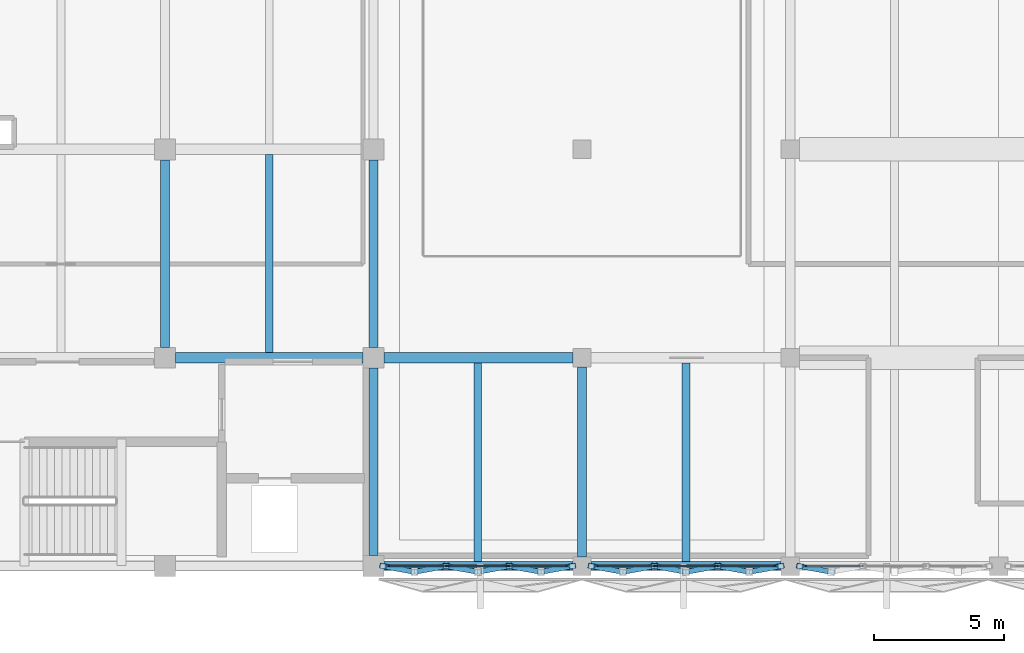
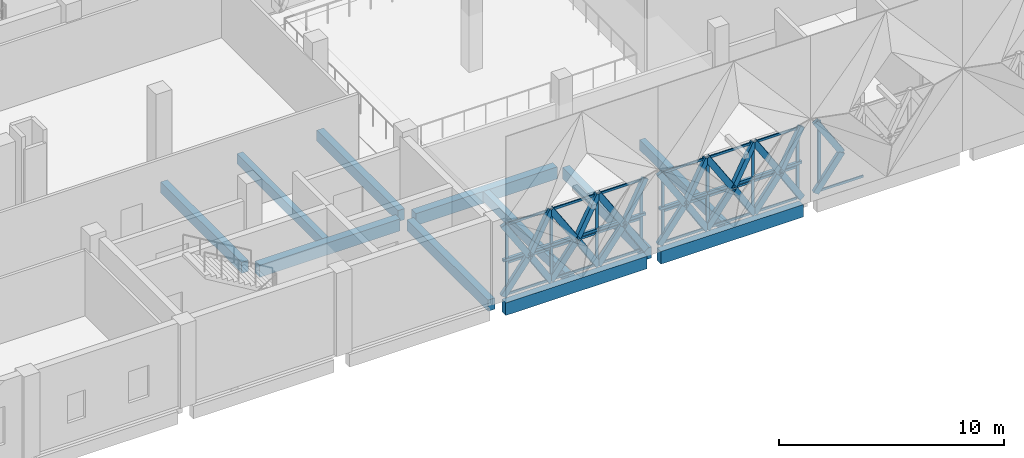
# One storey, part 7 of 37: 60 members, 11 beams, 3 elements without a shape of their own.
"""IFC4 building model written with IfcOpenShell, lengths in metres."""

from ifc_helpers import new_model, si_unit, direction, frame, origin, origin_2d, place, context, subcontext, project, spatial, rectangle, hollow_rectangle, extrude, material, layer, layer_set, material_profile, profile_set, type_object, element, aggregate, save


model = new_model("IFC4")

# Units and contexts
model_context = context("Model", 3, precision=1e-05, world=origin(), true_north=direction((0.0, 1.0)))
body_context = subcontext(model_context, "Body", "Model", "MODEL_VIEW")
ifc_project = project(units=[si_unit("LENGTHUNIT", "METRE"), si_unit("AREAUNIT", "SQUARE_METRE"), si_unit("VOLUMEUNIT", "CUBIC_METRE"), si_unit("PLANEANGLEUNIT", "RADIAN"), si_unit("MASSUNIT", "GRAM", prefix="KILO")], contexts=[model_context])

# Site, building, storey
site_placement = place(None, origin())
site = spatial("IfcSite", under=ifc_project, at=site_placement, CompositionType="ELEMENT")
building_placement = place(site_placement, origin())
building = spatial("IfcBuilding", under=site, at=building_placement, Name="Qorikala Patio Media Centre", CompositionType="ELEMENT")
storey_placement = place(building_placement, frame((0.0, 0.0, 14.39990234375)))
storey = spatial("IfcBuildingStorey", under=building, at=storey_placement, Name="L03", CompositionType="ELEMENT", Elevation=14.39990234375)

# Beams
ifc_material_1 = material(Name="Concrete C35/45", Category="concrete")
ifc_material_profile_1 = material_profile(ifc_material_1, rectangle(XDim=0.35009765625, YDim=0.60009765625, at=origin_2d()), Name="RC 350x600")
ifc_profile_set_1 = profile_set([ifc_material_profile_1], Name="Concrete C35/45")
beam_type_1 = type_object("IfcBeamType", Name="BM-G350X600", PredefinedType="BEAM", material=ifc_profile_set_1)
for number, where, z_axis, x_axis, name in (
    (1, (35.0, 11.39990234375, -0.599853515625), (0.0, 1.0, 0.0), (-1.0, 0.0, 0.0), "L03 Grid X=35 Beam 1227"),
    (2, (43.0, 3.39990234375, -0.599853515625), (0.0, 1.0, 0.0), (-1.0, 0.0, 0.0), "L03 Grid X=43 Beam 1234"),
    (3, (43.0, 11.39990234375, -0.599853515625), (0.0, 1.0, 0.0), (-1.0, 0.0, 0.0), "L03 Grid X=43 Beam 1235"),
):
    element("IfcBeam", number, at=place(storey_placement, frame(where, z_axis=z_axis, x_axis=x_axis)), inside=storey, type_object=beam_type_1, Name=name, PredefinedType="BEAM", context=body_context, shape_type="SweptSolid", body=[
        extrude(rectangle(XDim=0.35009765625, YDim=0.60009765625, at=origin_2d()), origin(), (0.0, 0.0, 1.0), 7.2001953125),
    ])
beam_1_placement = place(storey_placement, frame((51.0, 3.35009765625, -0.599853515625), z_axis=(0.0, 1.0, 0.0), x_axis=(-1.0, 0.0, 0.0)))
element("IfcBeam", 4, at=beam_1_placement, inside=storey, type_object=beam_type_1, Name="L03 Grid X=51 Beam 1238", PredefinedType="BEAM", context=body_context, shape_type="SweptSolid", body=[
    extrude(rectangle(XDim=0.35009765625, YDim=0.60009765625, at=origin_2d()), origin(), (0.0, 0.0, 1.0), 7.2998046875),
])
ifc_material_profile_2 = material_profile(ifc_material_1, rectangle(XDim=0.39990234375, YDim=0.64990234375, at=origin_2d()), Name="RC 400x650")
ifc_profile_set_2 = profile_set([ifc_material_profile_2], Name="Concrete C35/45")
beam_type_2 = type_object("IfcBeamType", Name="BM-G400X650", PredefinedType="BEAM", material=ifc_profile_set_2)
beam_2_placement = place(storey_placement, frame((35.39990234375, 11.0, -0.625), z_axis=(1.0, 0.0, 0.0), x_axis=(0.0, 1.0, 0.0)))
element("IfcBeam", 5, at=beam_2_placement, inside=storey, type_object=beam_type_2, Name="L03 Grid 11 Beam 1119", PredefinedType="BEAM", context=body_context, shape_type="SweptSolid", body=[
    extrude(rectangle(XDim=0.39990234375, YDim=0.64990234375, at=origin_2d()), origin(), (0.0, 0.0, 1.0), 7.2001953125),
])
beam_3_placement = place(storey_placement, frame((43.39990234375, 11.0, -0.625), z_axis=(1.0, 0.0, 0.0), x_axis=(0.0, 1.0, 0.0)))
element("IfcBeam", 6, at=beam_3_placement, inside=storey, type_object=beam_type_2, Name="L03 Grid 11 Beam 1120", PredefinedType="BEAM", context=body_context, shape_type="SweptSolid", body=[
    extrude(rectangle(XDim=0.39990234375, YDim=0.64990234375, at=origin_2d()), origin(), (0.0, 0.0, 1.0), 7.25),
])

# Members
ifc_material_2 = material(Name="Golden Bronze Coated Steel S355", Category="steel")
ifc_material_profile_3 = material_profile(ifc_material_2, hollow_rectangle(XDim=0.139892578125, YDim=0.139892578125, WallThickness=0.006103515625, at=origin_2d()), Name="HSS140X140X6")
ifc_profile_set_3 = profile_set([ifc_material_profile_3], Name="Golden Bronze Coated Steel S355")
member_type_1 = type_object("IfcMemberType", Name="BRACE-DIA140", PredefinedType="BRACE", material=ifc_profile_set_3)
member_1_placement = place(storey_placement, frame((58.639892578125, 3.0, 1.925048828125), z_axis=(-1.0, 0.0, 0.0), x_axis=(0.0, -1.0, 0.0)))
element("IfcMember", 7, at=member_1_placement, inside=storey, type_object=member_type_1, Name="L03 Diamond Fold Tie 082", PredefinedType="BRACE", context=body_context, shape_type="SweptSolid", body=[
    extrude(hollow_rectangle(XDim=0.139892578125, YDim=0.139892578125, WallThickness=0.006103515625, at=origin_2d()), origin(), (0.0, 0.0, 1.0), 2.426513671875),
])
member_2_placement = place(storey_placement, frame((56.21337890625, 3.0, 1.925048828125), z_axis=(-1.0, 0.0, 0.0), x_axis=(0.0, -1.0, 0.0)))
element("IfcMember", 8, at=member_2_placement, inside=storey, type_object=member_type_1, Name="L03 Diamond Fold Tie 083", PredefinedType="BRACE", context=body_context, shape_type="SweptSolid", body=[
    extrude(hollow_rectangle(XDim=0.139892578125, YDim=0.139892578125, WallThickness=0.006103515625, at=origin_2d()), origin(), (0.0, 0.0, 1.0), 2.4267578125),
])
for number, where, z_axis, x_axis, name in (
    (9, (53.78662109375, 3.0, 1.925048828125), (-1.0, 0.0, 0.0), (0.0, -1.0, 0.0), "L03 Diamond Fold Tie 084"),
    (10, (50.639892578125, 3.0, 1.925048828125), (-1.0, 0.0, 0.0), (0.0, -1.0, 0.0), "L03 Diamond Fold Tie 085"),
):
    element("IfcMember", number, at=place(storey_placement, frame(where, z_axis=z_axis, x_axis=x_axis)), inside=storey, type_object=member_type_1, Name=name, PredefinedType="BRACE", context=body_context, shape_type="SweptSolid", body=[
        extrude(hollow_rectangle(XDim=0.139892578125, YDim=0.139892578125, WallThickness=0.006103515625, at=origin_2d()), origin(), (0.0, 0.0, 1.0), 2.426513671875),
    ])
member_3_placement = place(storey_placement, frame((48.21337890625, 3.0, 1.925048828125), z_axis=(-1.0, 0.0, 0.0), x_axis=(0.0, -1.0, 0.0)))
element("IfcMember", 11, at=member_3_placement, inside=storey, type_object=member_type_1, Name="L03 Diamond Fold Tie 086", PredefinedType="BRACE", context=body_context, shape_type="SweptSolid", body=[
    extrude(hollow_rectangle(XDim=0.139892578125, YDim=0.139892578125, WallThickness=0.006103515625, at=origin_2d()), origin(), (0.0, 0.0, 1.0), 2.4267578125),
])
member_4_placement = place(storey_placement, frame((45.78662109375, 3.0, 1.925048828125), z_axis=(-1.0, 0.0, 0.0), x_axis=(0.0, -1.0, 0.0)))
element("IfcMember", 12, at=member_4_placement, inside=storey, type_object=member_type_1, Name="L03 Diamond Fold Tie 087", PredefinedType="BRACE", context=body_context, shape_type="SweptSolid", body=[
    extrude(hollow_rectangle(XDim=0.139892578125, YDim=0.139892578125, WallThickness=0.006103515625, at=origin_2d()), origin(), (0.0, 0.0, 1.0), 2.426513671875),
])

# Curtain wall, member
ifc_material_3 = material(Name="Golden Bronze Anodised Aluminium and Low-E Glass", Category="aluminium")
ifc_layer = layer(ifc_material_3, 0.159912109375)
ifc_layer_set = layer_set([ifc_layer], Name="Golden Bronze Anodised Aluminium and Low-E Glass")
curtain_wall_type = type_object("IfcCurtainWallType", Name="CW-DIA-696X385", PredefinedType="USERDEFINED", material=ifc_layer_set)
curtain_wall_1_placement = place(storey_placement, origin())
curtain_wall_1 = element("IfcCurtainWall", 13, at=curtain_wall_1_placement, inside=storey, type_object=curtain_wall_type, Name="L03 Courtyard Curtain Wall 068", ObjectType="COURTYARD CURTAIN WALL", PredefinedType="USERDEFINED")
ifc_material_4 = material(Name="Golden Bronze Anodised Aluminium", Category="aluminium")
ifc_material_profile_4 = material_profile(ifc_material_4, rectangle(XDim=0.06494140625, YDim=0.14990234375, at=origin_2d()), Name="ALU MULLION 65x150")
ifc_profile_set_4 = profile_set([ifc_material_profile_4], Name="Golden Bronze Anodised Aluminium")
member_type_2 = type_object("IfcMemberType", Name="CWM-65X150", PredefinedType="MULLION", material=ifc_profile_set_4)
member_5_placement = place(storey_placement, frame((59.552490234375, 3.0, 0.0), z_axis=(0.0, 0.0, 1.0), x_axis=(0.0, -1.0, 0.0)))
member_5 = element("IfcMember", 14, at=member_5_placement, type_object=member_type_2, Name="CWD696385 mullion 4", PredefinedType="MULLION", context=body_context, shape_type="SweptSolid", body=[
    extrude(rectangle(XDim=0.06494140625, YDim=0.14990234375, at=origin_2d()), origin(), (0.0, 0.0, 1.0), 3.85009765625),
])

# Curtain wall, members
curtain_wall_2_placement = place(storey_placement, origin())
curtain_wall_2 = element("IfcCurtainWall", 15, at=curtain_wall_2_placement, inside=storey, type_object=curtain_wall_type, Name="L03 Courtyard Curtain Wall 069", ObjectType="COURTYARD CURTAIN WALL", PredefinedType="USERDEFINED")
member_6_placement = place(storey_placement, frame((58.447509765625, 3.0, 0.0), z_axis=(0.0, 0.0, 1.0), x_axis=(0.0, -1.0, 0.0)))
member_6 = element("IfcMember", 16, at=member_6_placement, type_object=member_type_2, Name="CWD696385 mullion 1", PredefinedType="MULLION", context=body_context, shape_type="SweptSolid", body=[
    extrude(rectangle(XDim=0.06494140625, YDim=0.14990234375, at=origin_2d()), origin(), (0.0, 0.0, 1.0), 3.85009765625),
])
member_7_placement = place(storey_placement, frame((56.159912109375, 3.0, 0.0), z_axis=(0.0, 0.0, 1.0), x_axis=(0.0, -1.0, 0.0)))
member_7 = element("IfcMember", 17, at=member_7_placement, type_object=member_type_2, Name="CWD696385 mullion 2", PredefinedType="MULLION", context=body_context, shape_type="SweptSolid", body=[
    extrude(rectangle(XDim=0.06494140625, YDim=0.14990234375, at=origin_2d()), origin(), (0.0, 0.0, 1.0), 3.85009765625),
])
member_8_placement = place(storey_placement, frame((53.840087890625, 3.0, 0.0), z_axis=(0.0, 0.0, 1.0), x_axis=(0.0, -1.0, 0.0)))
member_8 = element("IfcMember", 18, at=member_8_placement, type_object=member_type_2, Name="CWD696385 mullion 3", PredefinedType="MULLION", context=body_context, shape_type="SweptSolid", body=[
    extrude(rectangle(XDim=0.06494140625, YDim=0.14990234375, at=origin_2d()), origin(), (0.0, 0.0, 1.0), 3.85009765625),
])
member_9_placement = place(storey_placement, frame((51.552490234375, 3.0, 0.0), z_axis=(0.0, 0.0, 1.0), x_axis=(0.0, -1.0, 0.0)))
member_9 = element("IfcMember", 19, at=member_9_placement, type_object=member_type_2, Name="CWD696385 mullion 4", PredefinedType="MULLION", context=body_context, shape_type="SweptSolid", body=[
    extrude(rectangle(XDim=0.06494140625, YDim=0.14990234375, at=origin_2d()), origin(), (0.0, 0.0, 1.0), 3.85009765625),
])

curtain_wall_3_placement = place(storey_placement, origin())
curtain_wall_3 = element("IfcCurtainWall", 20, at=curtain_wall_3_placement, inside=storey, type_object=curtain_wall_type, Name="L03 Courtyard Curtain Wall 070", ObjectType="COURTYARD CURTAIN WALL", PredefinedType="USERDEFINED")
member_10_placement = place(storey_placement, frame((50.447509765625, 3.0, 0.0), z_axis=(0.0, 0.0, 1.0), x_axis=(0.0, -1.0, 0.0)))
member_10 = element("IfcMember", 21, at=member_10_placement, type_object=member_type_2, Name="CWD696385 mullion 1", PredefinedType="MULLION", context=body_context, shape_type="SweptSolid", body=[
    extrude(rectangle(XDim=0.06494140625, YDim=0.14990234375, at=origin_2d()), origin(), (0.0, 0.0, 1.0), 3.85009765625),
])
member_11_placement = place(storey_placement, frame((48.159912109375, 3.0, 0.0), z_axis=(0.0, 0.0, 1.0), x_axis=(0.0, -1.0, 0.0)))
member_11 = element("IfcMember", 22, at=member_11_placement, type_object=member_type_2, Name="CWD696385 mullion 2", PredefinedType="MULLION", context=body_context, shape_type="SweptSolid", body=[
    extrude(rectangle(XDim=0.06494140625, YDim=0.14990234375, at=origin_2d()), origin(), (0.0, 0.0, 1.0), 3.85009765625),
])
member_12_placement = place(storey_placement, frame((45.840087890625, 3.0, 0.0), z_axis=(0.0, 0.0, 1.0), x_axis=(0.0, -1.0, 0.0)))
member_12 = element("IfcMember", 23, at=member_12_placement, type_object=member_type_2, Name="CWD696385 mullion 3", PredefinedType="MULLION", context=body_context, shape_type="SweptSolid", body=[
    extrude(rectangle(XDim=0.06494140625, YDim=0.14990234375, at=origin_2d()), origin(), (0.0, 0.0, 1.0), 3.85009765625),
])
member_13_placement = place(storey_placement, frame((43.552490234375, 3.0, 0.0), z_axis=(0.0, 0.0, 1.0), x_axis=(0.0, -1.0, 0.0)))
member_13 = element("IfcMember", 24, at=member_13_placement, type_object=member_type_2, Name="CWD696385 mullion 4", PredefinedType="MULLION", context=body_context, shape_type="SweptSolid", body=[
    extrude(rectangle(XDim=0.06494140625, YDim=0.14990234375, at=origin_2d()), origin(), (0.0, 0.0, 1.0), 3.85009765625),
])

# Member
ifc_material_profile_5 = material_profile(ifc_material_4, rectangle(XDim=0.06494140625, YDim=0.1201171875, at=origin_2d()), Name="ALU TRANSOM 65x120")
ifc_profile_set_5 = profile_set([ifc_material_profile_5], Name="Golden Bronze Anodised Aluminium")
member_type_3 = type_object("IfcMemberType", Name="CWT-65X120", PredefinedType="USERDEFINED", material=ifc_profile_set_5)
member_14_placement = place(storey_placement, frame((61.8076171875, 3.0, 0.03271484375), z_axis=(-1.0, 0.0, 0.0), x_axis=(0.0, -1.0, 0.0)))
member_14 = element("IfcMember", 25, at=member_14_placement, type_object=member_type_3, Name="CWD696385 transom 3.1", ObjectType="TRANSOM", PredefinedType="USERDEFINED", context=body_context, shape_type="SweptSolid", body=[
    extrude(rectangle(XDim=0.06494140625, YDim=0.1201171875, at=origin_2d()), origin(), (0.0, 0.0, 1.0), 2.22265625),
])

aggregate(curtain_wall_1, [member_5, member_14])

member_15_placement = place(storey_placement, frame((58.4150390625, 3.0, 0.03271484375), z_axis=(-1.0, 0.0, 0.0), x_axis=(0.0, -1.0, 0.0)))
member_15 = element("IfcMember", 26, at=member_15_placement, type_object=member_type_3, Name="CWD696385 transom 1.1", ObjectType="TRANSOM", PredefinedType="USERDEFINED", context=body_context, shape_type="SweptSolid", body=[
    extrude(rectangle(XDim=0.06494140625, YDim=0.1201171875, at=origin_2d()), origin(), (0.0, 0.0, 1.0), 2.22265625),
])

member_16_placement = place(storey_placement, frame((58.4150390625, 3.0, 1.732666015625), z_axis=(-1.0, 0.0, 0.0), x_axis=(0.0, -1.0, 0.0)))
member_16 = element("IfcMember", 27, at=member_16_placement, type_object=member_type_3, Name="CWD696385 transom 1.2", ObjectType="TRANSOM", PredefinedType="USERDEFINED", context=body_context, shape_type="SweptSolid", body=[
    extrude(rectangle(XDim=0.06494140625, YDim=0.1201171875, at=origin_2d()), origin(), (0.0, 0.0, 1.0), 2.22265625),
])

member_17_placement = place(storey_placement, frame((58.4150390625, 3.0, 3.817626953125), z_axis=(-1.0, 0.0, 0.0), x_axis=(0.0, -1.0, 0.0)))
member_17 = element("IfcMember", 28, at=member_17_placement, type_object=member_type_3, Name="CWD696385 transom 1.3", ObjectType="TRANSOM", PredefinedType="USERDEFINED", context=body_context, shape_type="SweptSolid", body=[
    extrude(rectangle(XDim=0.06494140625, YDim=0.1201171875, at=origin_2d()), origin(), (0.0, 0.0, 1.0), 2.22265625),
])

member_18_placement = place(storey_placement, frame((56.12744140625, 3.0, 0.03271484375), z_axis=(-1.0, 0.0, 0.0), x_axis=(0.0, -1.0, 0.0)))
member_18 = element("IfcMember", 29, at=member_18_placement, type_object=member_type_3, Name="CWD696385 transom 2.1", ObjectType="TRANSOM", PredefinedType="USERDEFINED", context=body_context, shape_type="SweptSolid", body=[
    extrude(rectangle(XDim=0.06494140625, YDim=0.1201171875, at=origin_2d()), origin(), (0.0, 0.0, 1.0), 2.2548828125),
])

member_19_placement = place(storey_placement, frame((56.12744140625, 3.0, 1.732666015625), z_axis=(-1.0, 0.0, 0.0), x_axis=(0.0, -1.0, 0.0)))
member_19 = element("IfcMember", 30, at=member_19_placement, type_object=member_type_3, Name="CWD696385 transom 2.2", ObjectType="TRANSOM", PredefinedType="USERDEFINED", context=body_context, shape_type="SweptSolid", body=[
    extrude(rectangle(XDim=0.06494140625, YDim=0.1201171875, at=origin_2d()), origin(), (0.0, 0.0, 1.0), 2.2548828125),
])

member_20_placement = place(storey_placement, frame((56.12744140625, 3.0, 3.817626953125), z_axis=(-1.0, 0.0, 0.0), x_axis=(0.0, -1.0, 0.0)))
member_20 = element("IfcMember", 31, at=member_20_placement, type_object=member_type_3, Name="CWD696385 transom 2.3", ObjectType="TRANSOM", PredefinedType="USERDEFINED", context=body_context, shape_type="SweptSolid", body=[
    extrude(rectangle(XDim=0.06494140625, YDim=0.1201171875, at=origin_2d()), origin(), (0.0, 0.0, 1.0), 2.2548828125),
])

member_21_placement = place(storey_placement, frame((53.8076171875, 3.0, 0.03271484375), z_axis=(-1.0, 0.0, 0.0), x_axis=(0.0, -1.0, 0.0)))
member_21 = element("IfcMember", 32, at=member_21_placement, type_object=member_type_3, Name="CWD696385 transom 3.1", ObjectType="TRANSOM", PredefinedType="USERDEFINED", context=body_context, shape_type="SweptSolid", body=[
    extrude(rectangle(XDim=0.06494140625, YDim=0.1201171875, at=origin_2d()), origin(), (0.0, 0.0, 1.0), 2.22265625),
])

member_22_placement = place(storey_placement, frame((53.8076171875, 3.0, 1.732666015625), z_axis=(-1.0, 0.0, 0.0), x_axis=(0.0, -1.0, 0.0)))
member_22 = element("IfcMember", 33, at=member_22_placement, type_object=member_type_3, Name="CWD696385 transom 3.2", ObjectType="TRANSOM", PredefinedType="USERDEFINED", context=body_context, shape_type="SweptSolid", body=[
    extrude(rectangle(XDim=0.06494140625, YDim=0.1201171875, at=origin_2d()), origin(), (0.0, 0.0, 1.0), 2.22265625),
])

member_23_placement = place(storey_placement, frame((53.8076171875, 3.0, 3.817626953125), z_axis=(-1.0, 0.0, 0.0), x_axis=(0.0, -1.0, 0.0)))
member_23 = element("IfcMember", 34, at=member_23_placement, type_object=member_type_3, Name="CWD696385 transom 3.3", ObjectType="TRANSOM", PredefinedType="USERDEFINED", context=body_context, shape_type="SweptSolid", body=[
    extrude(rectangle(XDim=0.06494140625, YDim=0.1201171875, at=origin_2d()), origin(), (0.0, 0.0, 1.0), 2.22265625),
])

aggregate(curtain_wall_2, [member_6, member_7, member_8, member_9, member_15, member_16, member_17, member_18, member_19, member_20, member_21, member_22, member_23])

member_24_placement = place(storey_placement, frame((50.4150390625, 3.0, 0.03271484375), z_axis=(-1.0, 0.0, 0.0), x_axis=(0.0, -1.0, 0.0)))
member_24 = element("IfcMember", 35, at=member_24_placement, type_object=member_type_3, Name="CWD696385 transom 1.1", ObjectType="TRANSOM", PredefinedType="USERDEFINED", context=body_context, shape_type="SweptSolid", body=[
    extrude(rectangle(XDim=0.06494140625, YDim=0.1201171875, at=origin_2d()), origin(), (0.0, 0.0, 1.0), 2.22265625),
])

member_25_placement = place(storey_placement, frame((50.4150390625, 3.0, 1.732666015625), z_axis=(-1.0, 0.0, 0.0), x_axis=(0.0, -1.0, 0.0)))
member_25 = element("IfcMember", 36, at=member_25_placement, type_object=member_type_3, Name="CWD696385 transom 1.2", ObjectType="TRANSOM", PredefinedType="USERDEFINED", context=body_context, shape_type="SweptSolid", body=[
    extrude(rectangle(XDim=0.06494140625, YDim=0.1201171875, at=origin_2d()), origin(), (0.0, 0.0, 1.0), 2.22265625),
])

member_26_placement = place(storey_placement, frame((50.4150390625, 3.0, 3.817626953125), z_axis=(-1.0, 0.0, 0.0), x_axis=(0.0, -1.0, 0.0)))
member_26 = element("IfcMember", 37, at=member_26_placement, type_object=member_type_3, Name="CWD696385 transom 1.3", ObjectType="TRANSOM", PredefinedType="USERDEFINED", context=body_context, shape_type="SweptSolid", body=[
    extrude(rectangle(XDim=0.06494140625, YDim=0.1201171875, at=origin_2d()), origin(), (0.0, 0.0, 1.0), 2.22265625),
])

member_27_placement = place(storey_placement, frame((48.12744140625, 3.0, 0.03271484375), z_axis=(-1.0, 0.0, 0.0), x_axis=(0.0, -1.0, 0.0)))
member_27 = element("IfcMember", 38, at=member_27_placement, type_object=member_type_3, Name="CWD696385 transom 2.1", ObjectType="TRANSOM", PredefinedType="USERDEFINED", context=body_context, shape_type="SweptSolid", body=[
    extrude(rectangle(XDim=0.06494140625, YDim=0.1201171875, at=origin_2d()), origin(), (0.0, 0.0, 1.0), 2.2548828125),
])

member_28_placement = place(storey_placement, frame((48.12744140625, 3.0, 1.732666015625), z_axis=(-1.0, 0.0, 0.0), x_axis=(0.0, -1.0, 0.0)))
member_28 = element("IfcMember", 39, at=member_28_placement, type_object=member_type_3, Name="CWD696385 transom 2.2", ObjectType="TRANSOM", PredefinedType="USERDEFINED", context=body_context, shape_type="SweptSolid", body=[
    extrude(rectangle(XDim=0.06494140625, YDim=0.1201171875, at=origin_2d()), origin(), (0.0, 0.0, 1.0), 2.2548828125),
])

member_29_placement = place(storey_placement, frame((48.12744140625, 3.0, 3.817626953125), z_axis=(-1.0, 0.0, 0.0), x_axis=(0.0, -1.0, 0.0)))
member_29 = element("IfcMember", 40, at=member_29_placement, type_object=member_type_3, Name="CWD696385 transom 2.3", ObjectType="TRANSOM", PredefinedType="USERDEFINED", context=body_context, shape_type="SweptSolid", body=[
    extrude(rectangle(XDim=0.06494140625, YDim=0.1201171875, at=origin_2d()), origin(), (0.0, 0.0, 1.0), 2.2548828125),
])

member_30_placement = place(storey_placement, frame((45.8076171875, 3.0, 0.03271484375), z_axis=(-1.0, 0.0, 0.0), x_axis=(0.0, -1.0, 0.0)))
member_30 = element("IfcMember", 41, at=member_30_placement, type_object=member_type_3, Name="CWD696385 transom 3.1", ObjectType="TRANSOM", PredefinedType="USERDEFINED", context=body_context, shape_type="SweptSolid", body=[
    extrude(rectangle(XDim=0.06494140625, YDim=0.1201171875, at=origin_2d()), origin(), (0.0, 0.0, 1.0), 2.22265625),
])

member_31_placement = place(storey_placement, frame((45.8076171875, 3.0, 1.732666015625), z_axis=(-1.0, 0.0, 0.0), x_axis=(0.0, -1.0, 0.0)))
member_31 = element("IfcMember", 42, at=member_31_placement, type_object=member_type_3, Name="CWD696385 transom 3.2", ObjectType="TRANSOM", PredefinedType="USERDEFINED", context=body_context, shape_type="SweptSolid", body=[
    extrude(rectangle(XDim=0.06494140625, YDim=0.1201171875, at=origin_2d()), origin(), (0.0, 0.0, 1.0), 2.22265625),
])

member_32_placement = place(storey_placement, frame((45.8076171875, 3.0, 3.817626953125), z_axis=(-1.0, 0.0, 0.0), x_axis=(0.0, -1.0, 0.0)))
member_32 = element("IfcMember", 43, at=member_32_placement, type_object=member_type_3, Name="CWD696385 transom 3.3", ObjectType="TRANSOM", PredefinedType="USERDEFINED", context=body_context, shape_type="SweptSolid", body=[
    extrude(rectangle(XDim=0.06494140625, YDim=0.1201171875, at=origin_2d()), origin(), (0.0, 0.0, 1.0), 2.22265625),
])

aggregate(curtain_wall_3, [member_10, member_11, member_12, member_13, member_24, member_25, member_26, member_27, member_28, member_29, member_30, member_31, member_32])

# Beams
ifc_material_profile_6 = material_profile(ifc_material_1, rectangle(XDim=0.300048828125, YDim=0.550048828125, at=origin_2d()), Name="RC 300x550")
ifc_profile_set_6 = profile_set([ifc_material_profile_6], Name="Concrete C35/45")
beam_type_3 = type_object("IfcBeamType", Name="JS-300X550", PredefinedType="JOIST", material=ifc_profile_set_6)
beam_4_placement = place(storey_placement, frame((39.0, 11.199951171875, -0.574951171875), z_axis=(0.0, 1.0, 0.0), x_axis=(-1.0, 0.0, 0.0)))
element("IfcBeam", 44, at=beam_4_placement, inside=storey, type_object=beam_type_3, Name="L03 Secondary Joist 1294", PredefinedType="JOIST", context=body_context, shape_type="SweptSolid", body=[
    extrude(rectangle(XDim=0.300048828125, YDim=0.550048828125, at=origin_2d()), origin(), (0.0, 0.0, 1.0), 7.60009765625),
])
for number, where, z_axis, x_axis, name in (
    (45, (47.0, 3.175048828125, -0.574951171875), (0.0, 1.0, 0.0), (-1.0, 0.0, 0.0), "L03 Secondary Joist 1296"),
    (46, (55.0, 3.175048828125, -0.574951171875), (0.0, 1.0, 0.0), (-1.0, 0.0, 0.0), "L03 Secondary Joist 1297"),
):
    element("IfcBeam", number, at=place(storey_placement, frame(where, z_axis=z_axis, x_axis=x_axis)), inside=storey, type_object=beam_type_3, Name=name, PredefinedType="JOIST", context=body_context, shape_type="SweptSolid", body=[
        extrude(rectangle(XDim=0.300048828125, YDim=0.550048828125, at=origin_2d()), origin(), (0.0, 0.0, 1.0), 7.625),
    ])
ifc_material_profile_7 = material_profile(ifc_material_1, rectangle(XDim=0.35009765625, YDim=0.679931640625, at=origin_2d()), Name="RC 350x680")
ifc_profile_set_7 = profile_set([ifc_material_profile_7], Name="Concrete C35/45")
beam_type_4 = type_object("IfcBeamType", Name="SP-350X680", PredefinedType="SPANDREL", material=ifc_profile_set_7)
beam_5_placement = place(storey_placement, frame((43.39990234375, 3.0, -0.639892578125), z_axis=(1.0, 0.0, 0.0), x_axis=(0.0, 1.0, 0.0)))
element("IfcBeam", 47, at=beam_5_placement, inside=storey, type_object=beam_type_4, Name="L03 Grid 3 Beam 1108", PredefinedType="SPANDREL", context=body_context, shape_type="SweptSolid", body=[
    extrude(rectangle(XDim=0.35009765625, YDim=0.679931640625, at=origin_2d()), origin(), (0.0, 0.0, 1.0), 7.25),
])
beam_6_placement = place(storey_placement, frame((51.35009765625, 3.0, -0.639892578125), z_axis=(1.0, 0.0, 0.0), x_axis=(0.0, 1.0, 0.0)))
element("IfcBeam", 48, at=beam_6_placement, inside=storey, type_object=beam_type_4, Name="L03 Grid 3 Beam 1109", PredefinedType="SPANDREL", context=body_context, shape_type="SweptSolid", body=[
    extrude(rectangle(XDim=0.35009765625, YDim=0.679931640625, at=origin_2d()), origin(), (0.0, 0.0, 1.0), 7.2998046875),
])

# Members
ifc_material_profile_8 = material_profile(ifc_material_2, hollow_rectangle(XDim=0.199951171875, YDim=0.300048828125, WallThickness=0.011962890625, at=origin_2d()), Name="HSS300X200X12")
ifc_profile_set_8 = profile_set([ifc_material_profile_8], Name="Golden Bronze Coated Steel S355")
member_type_4 = type_object("IfcMemberType", Name="STRUT-DIA300", PredefinedType="STRUT", material=ifc_profile_set_8)
for number, where, z_axis, x_axis, name in (
    (49, (59.360107421875, 3.0, 0.0), (0.530691378365, -0.095906793675, 0.842121456713), (0.17783968734, 0.984059472596, 0.0), "L03 Diamond Foyer Fold Strut 081-DL2"),
    (50, (60.5732421875, 2.78076171875, 1.925048828125), (-0.530691378365, 0.095906793675, 0.842121456713), (-0.17783968734, -0.984059472596, 0.0), "L03 Diamond Foyer Fold Strut 081-DU2"),
    (51, (58.639892578125, 3.0, 0.0), (-0.530691378365, -0.095906793675, 0.842121456713), (0.17783968734, -0.984059472596, 0.0), "L03 Diamond Foyer Fold Strut 082-DL1"),
):
    element("IfcMember", number, at=place(storey_placement, frame(where, z_axis=z_axis, x_axis=x_axis)), inside=storey, type_object=member_type_4, Name=name, PredefinedType="STRUT", context=body_context, shape_type="SweptSolid", body=[
        extrude(hollow_rectangle(XDim=0.199951171875, YDim=0.300048828125, WallThickness=0.011962890625, at=origin_2d()), origin(), (0.0, 0.0, 1.0), 2.285888671875),
    ])
member_33_placement = place(storey_placement, frame((56.21337890625, 3.0, 0.0), z_axis=(0.530768093717, -0.095901357778, 0.842073726148), x_axis=(0.177805036072, 0.98406573416, 0.0)))
element("IfcMember", 52, at=member_33_placement, inside=storey, type_object=member_type_4, Name="L03 Diamond Foyer Fold Strut 082-DL2", PredefinedType="STRUT", context=body_context, shape_type="SweptSolid", body=[
    extrude(hollow_rectangle(XDim=0.199951171875, YDim=0.300048828125, WallThickness=0.011962890625, at=origin_2d()), origin(), (0.0, 0.0, 1.0), 2.2861328125),
])
member_34_placement = place(storey_placement, frame((57.4267578125, 2.78076171875, 1.925048828125), z_axis=(0.530691378365, 0.095906793675, 0.842121456713), x_axis=(-0.17783968734, 0.984059472596, 0.0)))
element("IfcMember", 53, at=member_34_placement, inside=storey, type_object=member_type_4, Name="L03 Diamond Foyer Fold Strut 082-DU1", PredefinedType="STRUT", context=body_context, shape_type="SweptSolid", body=[
    extrude(hollow_rectangle(XDim=0.199951171875, YDim=0.300048828125, WallThickness=0.011962890625, at=origin_2d()), origin(), (0.0, 0.0, 1.0), 2.285888671875),
])
for number, where, z_axis, x_axis, name in (
    (54, (57.4267578125, 2.78076171875, 1.925048828125), (-0.530768093717, 0.095901357778, 0.842073726148), (-0.177805036072, -0.98406573416, 0.0), "L03 Diamond Foyer Fold Strut 082-DU2"),
    (55, (56.21337890625, 3.0, 0.0), (-0.530768093717, -0.095901357778, 0.842073726148), (0.177805036072, -0.98406573416, 0.0), "L03 Diamond Foyer Fold Strut 083-DL1"),
    (56, (53.78662109375, 3.0, 0.0), (0.530768093717, -0.095901357778, 0.842073726148), (0.177805036072, 0.98406573416, 0.0), "L03 Diamond Foyer Fold Strut 083-DL2"),
    (57, (55.0, 2.78076171875, 1.925048828125), (0.530768093717, 0.095901357778, 0.842073726148), (-0.177805036072, 0.98406573416, 0.0), "L03 Diamond Foyer Fold Strut 083-DU1"),
    (58, (55.0, 2.78076171875, 1.925048828125), (-0.530768093717, 0.095901357778, 0.842073726148), (-0.177805036072, -0.98406573416, 0.0), "L03 Diamond Foyer Fold Strut 083-DU2"),
    (59, (53.78662109375, 3.0, 0.0), (-0.530768093717, -0.095901357778, 0.842073726148), (0.177805036072, -0.98406573416, 0.0), "L03 Diamond Foyer Fold Strut 084-DL1"),
):
    element("IfcMember", number, at=place(storey_placement, frame(where, z_axis=z_axis, x_axis=x_axis)), inside=storey, type_object=member_type_4, Name=name, PredefinedType="STRUT", context=body_context, shape_type="SweptSolid", body=[
        extrude(hollow_rectangle(XDim=0.199951171875, YDim=0.300048828125, WallThickness=0.011962890625, at=origin_2d()), origin(), (0.0, 0.0, 1.0), 2.2861328125),
    ])
member_35_placement = place(storey_placement, frame((51.360107421875, 3.0, 0.0), z_axis=(0.530691378365, -0.095906793675, 0.842121456713), x_axis=(0.17783968734, 0.984059472596, 0.0)))
element("IfcMember", 60, at=member_35_placement, inside=storey, type_object=member_type_4, Name="L03 Diamond Foyer Fold Strut 084-DL2", PredefinedType="STRUT", context=body_context, shape_type="SweptSolid", body=[
    extrude(hollow_rectangle(XDim=0.199951171875, YDim=0.300048828125, WallThickness=0.011962890625, at=origin_2d()), origin(), (0.0, 0.0, 1.0), 2.285888671875),
])
member_36_placement = place(storey_placement, frame((52.5732421875, 2.78076171875, 1.925048828125), z_axis=(0.530768093717, 0.095901357778, 0.842073726148), x_axis=(-0.177805036072, 0.98406573416, 0.0)))
element("IfcMember", 61, at=member_36_placement, inside=storey, type_object=member_type_4, Name="L03 Diamond Foyer Fold Strut 084-DU1", PredefinedType="STRUT", context=body_context, shape_type="SweptSolid", body=[
    extrude(hollow_rectangle(XDim=0.199951171875, YDim=0.300048828125, WallThickness=0.011962890625, at=origin_2d()), origin(), (0.0, 0.0, 1.0), 2.2861328125),
])
for number, where, z_axis, x_axis, name in (
    (62, (52.5732421875, 2.78076171875, 1.925048828125), (-0.530691378365, 0.095906793675, 0.842121456713), (-0.17783968734, -0.984059472596, 0.0), "L03 Diamond Foyer Fold Strut 084-DU2"),
    (63, (50.639892578125, 3.0, 0.0), (-0.530691378365, -0.095906793675, 0.842121456713), (0.17783968734, -0.984059472596, 0.0), "L03 Diamond Foyer Fold Strut 085-DL1"),
):
    element("IfcMember", number, at=place(storey_placement, frame(where, z_axis=z_axis, x_axis=x_axis)), inside=storey, type_object=member_type_4, Name=name, PredefinedType="STRUT", context=body_context, shape_type="SweptSolid", body=[
        extrude(hollow_rectangle(XDim=0.199951171875, YDim=0.300048828125, WallThickness=0.011962890625, at=origin_2d()), origin(), (0.0, 0.0, 1.0), 2.285888671875),
    ])
member_37_placement = place(storey_placement, frame((48.21337890625, 3.0, 0.0), z_axis=(0.530768093717, -0.095901357778, 0.842073726148), x_axis=(0.177805036072, 0.98406573416, 0.0)))
element("IfcMember", 64, at=member_37_placement, inside=storey, type_object=member_type_4, Name="L03 Diamond Foyer Fold Strut 085-DL2", PredefinedType="STRUT", context=body_context, shape_type="SweptSolid", body=[
    extrude(hollow_rectangle(XDim=0.199951171875, YDim=0.300048828125, WallThickness=0.011962890625, at=origin_2d()), origin(), (0.0, 0.0, 1.0), 2.2861328125),
])
member_38_placement = place(storey_placement, frame((49.4267578125, 2.78076171875, 1.925048828125), z_axis=(0.530691378365, 0.095906793675, 0.842121456713), x_axis=(-0.17783968734, 0.984059472596, 0.0)))
element("IfcMember", 65, at=member_38_placement, inside=storey, type_object=member_type_4, Name="L03 Diamond Foyer Fold Strut 085-DU1", PredefinedType="STRUT", context=body_context, shape_type="SweptSolid", body=[
    extrude(hollow_rectangle(XDim=0.199951171875, YDim=0.300048828125, WallThickness=0.011962890625, at=origin_2d()), origin(), (0.0, 0.0, 1.0), 2.285888671875),
])
for number, where, z_axis, x_axis, name in (
    (66, (49.4267578125, 2.78076171875, 1.925048828125), (-0.530768093717, 0.095901357778, 0.842073726148), (-0.177805036072, -0.98406573416, 0.0), "L03 Diamond Foyer Fold Strut 085-DU2"),
    (67, (48.21337890625, 3.0, 0.0), (-0.530768093717, -0.095901357778, 0.842073726148), (0.177805036072, -0.98406573416, 0.0), "L03 Diamond Foyer Fold Strut 086-DL1"),
    (68, (45.78662109375, 3.0, 0.0), (0.530768093717, -0.095901357778, 0.842073726148), (0.177805036072, 0.98406573416, 0.0), "L03 Diamond Foyer Fold Strut 086-DL2"),
    (69, (47.0, 2.78076171875, 1.925048828125), (0.530768093717, 0.095901357778, 0.842073726148), (-0.177805036072, 0.98406573416, 0.0), "L03 Diamond Foyer Fold Strut 086-DU1"),
    (70, (47.0, 2.78076171875, 1.925048828125), (-0.530768093717, 0.095901357778, 0.842073726148), (-0.177805036072, -0.98406573416, 0.0), "L03 Diamond Foyer Fold Strut 086-DU2"),
    (71, (45.78662109375, 3.0, 0.0), (-0.530768093717, -0.095901357778, 0.842073726148), (0.177805036072, -0.98406573416, 0.0), "L03 Diamond Foyer Fold Strut 087-DL1"),
):
    element("IfcMember", number, at=place(storey_placement, frame(where, z_axis=z_axis, x_axis=x_axis)), inside=storey, type_object=member_type_4, Name=name, PredefinedType="STRUT", context=body_context, shape_type="SweptSolid", body=[
        extrude(hollow_rectangle(XDim=0.199951171875, YDim=0.300048828125, WallThickness=0.011962890625, at=origin_2d()), origin(), (0.0, 0.0, 1.0), 2.2861328125),
    ])
member_39_placement = place(storey_placement, frame((43.360107421875, 3.0, 0.0), z_axis=(0.530691378365, -0.095906793675, 0.842121456713), x_axis=(0.17783968734, 0.984059472596, 0.0)))
element("IfcMember", 72, at=member_39_placement, inside=storey, type_object=member_type_4, Name="L03 Diamond Foyer Fold Strut 087-DL2", PredefinedType="STRUT", context=body_context, shape_type="SweptSolid", body=[
    extrude(hollow_rectangle(XDim=0.199951171875, YDim=0.300048828125, WallThickness=0.011962890625, at=origin_2d()), origin(), (0.0, 0.0, 1.0), 2.285888671875),
])
member_40_placement = place(storey_placement, frame((44.5732421875, 2.78076171875, 1.925048828125), z_axis=(0.530768093717, 0.095901357778, 0.842073726148), x_axis=(-0.177805036072, 0.98406573416, 0.0)))
element("IfcMember", 73, at=member_40_placement, inside=storey, type_object=member_type_4, Name="L03 Diamond Foyer Fold Strut 087-DU1", PredefinedType="STRUT", context=body_context, shape_type="SweptSolid", body=[
    extrude(hollow_rectangle(XDim=0.199951171875, YDim=0.300048828125, WallThickness=0.011962890625, at=origin_2d()), origin(), (0.0, 0.0, 1.0), 2.2861328125),
])
member_41_placement = place(storey_placement, frame((44.5732421875, 2.78076171875, 1.925048828125), z_axis=(-0.530691378365, 0.095906793675, 0.842121456713), x_axis=(-0.17783968734, -0.984059472596, 0.0)))
element("IfcMember", 74, at=member_41_placement, inside=storey, type_object=member_type_4, Name="L03 Diamond Foyer Fold Strut 087-DU2", PredefinedType="STRUT", context=body_context, shape_type="SweptSolid", body=[
    extrude(hollow_rectangle(XDim=0.199951171875, YDim=0.300048828125, WallThickness=0.011962890625, at=origin_2d()), origin(), (0.0, 0.0, 1.0), 2.285888671875),
])

save(model, "model.ifc")
